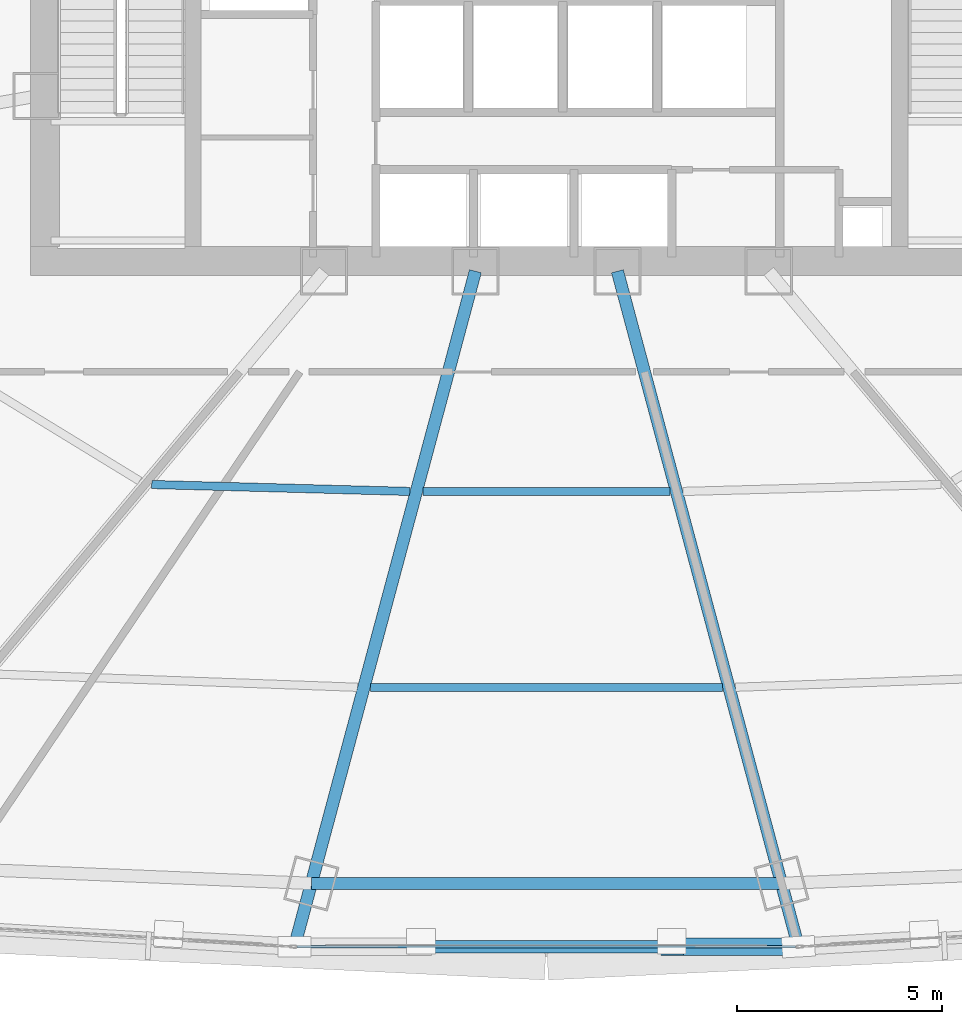
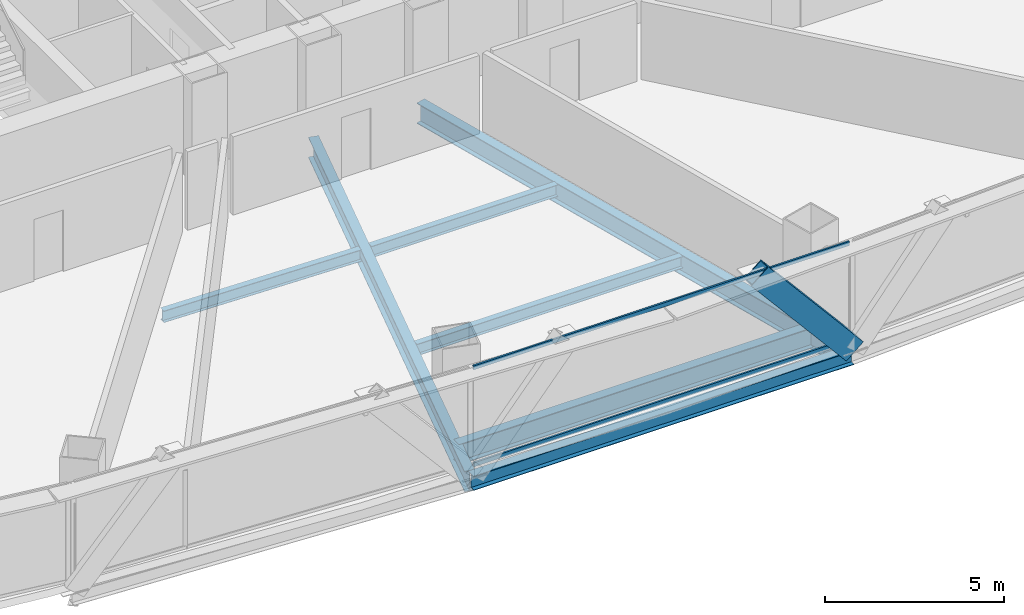
# One storey, part 9 of 42: 7 beams, 3 members, 1 element without a shape of its own.
"""IFC4 building model written with IfcOpenShell, lengths in metres."""

from ifc_helpers import new_model, si_unit, direction, frame, origin, origin_2d, place, context, subcontext, project, spatial, hollow_rectangle, i_section, extrude, source, transform, mapped, material, layer, layer_set, material_profile, profile_set, type_object, element, aggregate, save


model = new_model("IFC4")

# Units and contexts
model_context = context("Model", 3, precision=1e-05, world=origin(), true_north=direction((0.0, 1.0)))
body_context = subcontext(model_context, "Body", "Model", "MODEL_VIEW")
ifc_project = project(units=[si_unit("LENGTHUNIT", "METRE"), si_unit("AREAUNIT", "SQUARE_METRE"), si_unit("VOLUMEUNIT", "CUBIC_METRE"), si_unit("PLANEANGLEUNIT", "RADIAN"), si_unit("MASSUNIT", "GRAM", prefix="KILO"), si_unit("THERMODYNAMICTEMPERATUREUNIT", "KELVIN"), si_unit("POWERUNIT", "WATT")], contexts=[model_context])

# Site, building, storey
site_placement = place(None, origin())
site = spatial("IfcSite", under=ifc_project, at=site_placement, CompositionType="ELEMENT")
building_placement = place(site_placement, origin())
building = spatial("IfcBuilding", under=site, at=building_placement, Name="Yunzhuo Pagoda Commons", CompositionType="ELEMENT")
storey_placement = place(building_placement, frame((0.0, 0.0, 48.550048828125)))
storey = spatial("IfcBuildingStorey", under=building, at=storey_placement, Name="L12", CompositionType="ELEMENT", Elevation=48.550048828125)

# Beams
ifc_material_1 = material(Name="Structural steel Q355B", Category="steel")
ifc_material_profile_1 = material_profile(ifc_material_1, i_section(OverallWidth=0.300048828125, OverallDepth=0.699951171875, WebThickness=0.012939453125, FlangeThickness=0.02392578125, at=origin_2d()), Name="Structural steel Q355B")
ifc_profile_set_1 = profile_set([ifc_material_profile_1], Name="Structural steel Q355B")
beam_type_1 = type_object("IfcBeamType", Name="B-RG1 Beam HN 700x300x13x24", PredefinedType="BEAM", material=ifc_profile_set_1)
shared_shape_1 = source(origin(), body_context, "Body", "SweptSolid", [
    extrude(i_section(OverallWidth=0.300048828125, OverallDepth=0.699951171875, WebThickness=0.012939453125, FlangeThickness=0.02392578125, at=origin_2d()), origin(), (0.0, 0.0, 1.0), 11.4404296875),
])
beam_1_placement = place(storey_placement, frame((42.27978515625, 12.35205078125, -0.610107421875), z_axis=(1.0, 0.0, 0.0), x_axis=(0.0, 1.0, 0.0)))
element("IfcBeam", 1, at=beam_1_placement, inside=storey, type_object=beam_type_1, Name="L12 column-ring beam 2", PredefinedType="BEAM", context=body_context, shape_type="MappedRepresentation", body=[
    mapped(shared_shape_1, transform((0.0, 0.0, 0.0), scale=1.0)),
])
ifc_material_profile_2 = material_profile(ifc_material_1, i_section(OverallWidth=0.199951171875, OverallDepth=0.39990234375, WebThickness=0.008056640625, FlangeThickness=0.012939453125, at=origin_2d()), Name="Structural steel Q355B")
ifc_profile_set_2 = profile_set([ifc_material_profile_2], Name="Structural steel Q355B")
beam_type_2 = type_object("IfcBeamType", Name="B-JS1 Joist HN 400x200x8x13", PredefinedType="JOIST", material=ifc_profile_set_2)
shared_shape_2 = source(origin(), body_context, "Body", "SweptSolid", [
    extrude(i_section(OverallWidth=0.199951171875, OverallDepth=0.39990234375, WebThickness=0.008056640625, FlangeThickness=0.012939453125, at=origin_2d()), origin(), (0.0, 0.0, 1.0), 6.28271484375),
])
beam_2_placement = place(storey_placement, frame((38.395263671875, 22.06005859375, -0.4599609375), z_axis=(0.999638393847, -0.026890175648, 0.0), x_axis=(0.026890175648, 0.999638393847, 0.0)))
element("IfcBeam", 2, at=beam_2_placement, inside=storey, type_object=beam_type_2, Name="L12 composite ring joist 1.1", PredefinedType="JOIST", context=body_context, shape_type="MappedRepresentation", body=[
    mapped(shared_shape_2, transform((0.0, 0.0, 0.0), scale=1.0)),
])
shared_shape_3 = source(origin(), body_context, "Body", "SweptSolid", [
    extrude(i_section(OverallWidth=0.199951171875, OverallDepth=0.39990234375, WebThickness=0.008056640625, FlangeThickness=0.012939453125, at=origin_2d()), origin(), (0.0, 0.0, 1.0), 6.0126953125),
])
beam_3_placement = place(storey_placement, frame((44.99365234375, 21.88671875, -0.4599609375), z_axis=(1.0, 0.0, 0.0), x_axis=(0.0, 1.0, 0.0)))
element("IfcBeam", 3, at=beam_3_placement, inside=storey, type_object=beam_type_2, Name="L12 composite ring joist 1.2", PredefinedType="JOIST", context=body_context, shape_type="MappedRepresentation", body=[
    mapped(shared_shape_3, transform((0.0, 0.0, 0.0), scale=1.0)),
])
shared_shape_4 = source(origin(), body_context, "Body", "SweptSolid", [
    extrude(i_section(OverallWidth=0.199951171875, OverallDepth=0.39990234375, WebThickness=0.008056640625, FlangeThickness=0.012939453125, at=origin_2d()), origin(), (0.0, 0.0, 1.0), 8.5673828125),
])
beam_4_placement = place(storey_placement, frame((43.71630859375, 17.119384765625, -0.4599609375), z_axis=(1.0, 0.0, 0.0), x_axis=(0.0, 1.0, 0.0)))
element("IfcBeam", 4, at=beam_4_placement, inside=storey, type_object=beam_type_2, Name="L12 composite ring joist 2.2", PredefinedType="JOIST", context=body_context, shape_type="MappedRepresentation", body=[
    mapped(shared_shape_4, transform((0.0, 0.0, 0.0), scale=1.0)),
])
shared_shape_5 = source(origin(), body_context, "Body", "SweptSolid", [
    extrude(i_section(OverallWidth=0.300048828125, OverallDepth=0.699951171875, WebThickness=0.012939453125, FlangeThickness=0.02392578125, at=origin_2d()), origin(), (0.0, 0.0, 1.0), 16.863525390625),
])
for number, where, z_axis, x_axis, name in (
    (5, (41.906982421875, 10.961181640625, -0.610107421875), (0.258841978686, 0.965919680962, 0.0), (-0.965919680962, 0.258841978686, 0.0), "L12 radial floor girder F1C2"),
    (6, (54.093017578125, 10.961181640625, -0.610107421875), (-0.258814963473, 0.965926919949, 0.0), (-0.965926919949, -0.258814963473, 0.0), "L12 radial floor girder F1C3"),
):
    element("IfcBeam", number, at=place(storey_placement, frame(where, z_axis=z_axis, x_axis=x_axis)), inside=storey, type_object=beam_type_1, Name=name, PredefinedType="BEAM", context=body_context, shape_type="MappedRepresentation", body=[
        mapped(shared_shape_5, transform((0.0, 0.0, 0.0), scale=1.0)),
    ])
ifc_material_profile_3 = material_profile(ifc_material_1, i_section(OverallWidth=0.300048828125, OverallDepth=0.488037109375, WebThickness=0.010986328125, FlangeThickness=0.01806640625, at=origin_2d()), Name="Structural steel Q355B")
ifc_profile_set_3 = profile_set([ifc_material_profile_3], Name="Structural steel Q355B")
beam_type_3 = type_object("IfcBeamType", Name="B-SP1 Beam HM 488x300x11x18", PredefinedType="BEAM", material=ifc_profile_set_3)
shared_shape_6 = source(origin(), body_context, "Body", "SweptSolid", [
    extrude(i_section(OverallWidth=0.300048828125, OverallDepth=0.488037109375, WebThickness=0.010986328125, FlangeThickness=0.01806640625, at=origin_2d()), origin(), (0.0, 0.0, 1.0), 12.26611328125),
])
beam_5_placement = place(storey_placement, frame((41.866943359375, 10.811279296875, -0.504150390625), z_axis=(1.0, 0.0, 0.0), x_axis=(0.0, 1.0, 0.0)))
element("IfcBeam", 7, at=beam_5_placement, inside=storey, type_object=beam_type_3, Name="L12 facade edge spandrel beam F1.2", PredefinedType="BEAM", context=body_context, shape_type="MappedRepresentation", body=[
    mapped(shared_shape_6, transform((0.0, 0.0, 0.0), scale=1.0)),
])

# Member
ifc_material_2 = material(Name="Structural steel Q420B", Category="steel")
ifc_material_profile_4 = material_profile(ifc_material_2, hollow_rectangle(XDim=0.419921875, YDim=0.719970703125, WallThickness=0.028076171875, at=origin_2d()), Name="Structural steel Q420B")
ifc_profile_set_4 = profile_set([ifc_material_profile_4], Name="Structural steel Q420B")
member_type_1 = type_object("IfcMemberType", Name="M-DL1 Brace BOX 720x420x28", PredefinedType="BRACE", material=ifc_profile_set_4)
shared_shape_7 = source(origin(), body_context, "Body", "SweptSolid", [
    extrude(hollow_rectangle(XDim=0.419921875, YDim=0.719970703125, WallThickness=0.028076171875, at=origin_2d()), origin(), (0.0, 0.0, 1.0), 4.751953125),
])
member_1_placement = place(storey_placement, frame((54.133056640625, 10.811279296875, -0.260009765625), z_axis=(-0.645354750538, 0.0, 0.763883005413), x_axis=(0.0, -1.0, 0.0)))
element("IfcMember", 8, at=member_1_placement, inside=storey, type_object=member_type_1, Name="L12 facade diamond brace F1.2R", PredefinedType="BRACE", context=body_context, shape_type="MappedRepresentation", body=[
    mapped(shared_shape_7, transform((0.0, 0.0, 0.0), scale=1.0)),
])

# Curtain wall, members
ifc_material_3 = material(Name="Anodized aluminium 6063-T6", Category="aluminium")
ifc_layer = layer(ifc_material_3, 0.1650390625)
ifc_layer_set = layer_set([ifc_layer], Name="Anodized aluminium 6063-T6")
curtain_wall_type = type_object("IfcCurtainWallType", Name="CW-LOW Low-Zone Ribbon Curtain Wall", PredefinedType="NOTDEFINED", material=ifc_layer_set)
curtain_wall_placement = place(storey_placement, origin())
curtain_wall = element("IfcCurtainWall", 9, at=curtain_wall_placement, inside=storey, type_object=curtain_wall_type, Name="L12 curtain wall CW-L12-F1B3", PredefinedType="NOTDEFINED")
ifc_material_profile_5 = material_profile(ifc_material_3, hollow_rectangle(XDim=0.06005859375, YDim=0.139892578125, WallThickness=0.00341796875, at=origin_2d()), Name="Anodized aluminium 6063-T6")
ifc_profile_set_5 = profile_set([ifc_material_profile_5], Name="Anodized aluminium 6063-T6")
member_type_2 = type_object("IfcMemberType", Name="CW-LOW-T Transom RHS 140x60x3.5", PredefinedType="USERDEFINED", material=ifc_profile_set_5)
shared_shape_8 = source(origin(), body_context, "Body", "SweptSolid", [
    extrude(hollow_rectangle(XDim=0.06005859375, YDim=0.139892578125, WallThickness=0.00341796875, at=origin_2d()), origin(), (0.0, 0.0, 1.0), 12.13623046875),
])
member_2_placement = place(storey_placement, frame((41.931884765625, 10.811279296875, 0.030029296875), z_axis=(1.0, 0.0, 0.0), x_axis=(0.0, 1.0, 0.0)))
member_2 = element("IfcMember", 10, at=member_2_placement, type_object=member_type_2, Name="CW transom 1.1", ObjectType="TRANSOM", PredefinedType="USERDEFINED", context=body_context, shape_type="MappedRepresentation", body=[
    mapped(shared_shape_8, transform((0.0, 0.0, 0.0), scale=1.0)),
])
member_3_placement = place(storey_placement, frame((41.931884765625, 10.811279296875, 3.33984375), z_axis=(1.0, 0.0, 0.0), x_axis=(0.0, 1.0, 0.0)))
member_3 = element("IfcMember", 11, at=member_3_placement, type_object=member_type_2, Name="CW transom 1.2", ObjectType="TRANSOM", PredefinedType="USERDEFINED", context=body_context, shape_type="MappedRepresentation", body=[
    mapped(shared_shape_8, transform((0.0, 0.0, 0.0), scale=1.0)),
])
aggregate(curtain_wall, [member_2, member_3])

save(model, "model.ifc")
